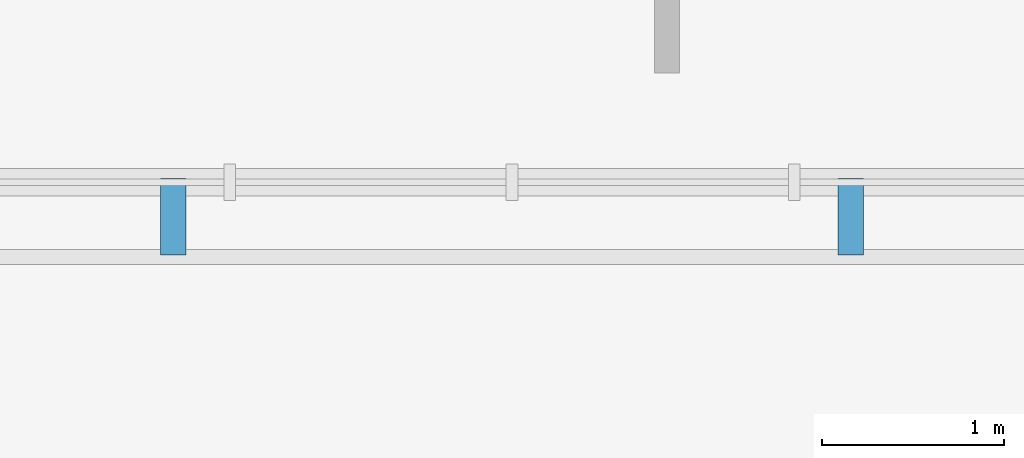
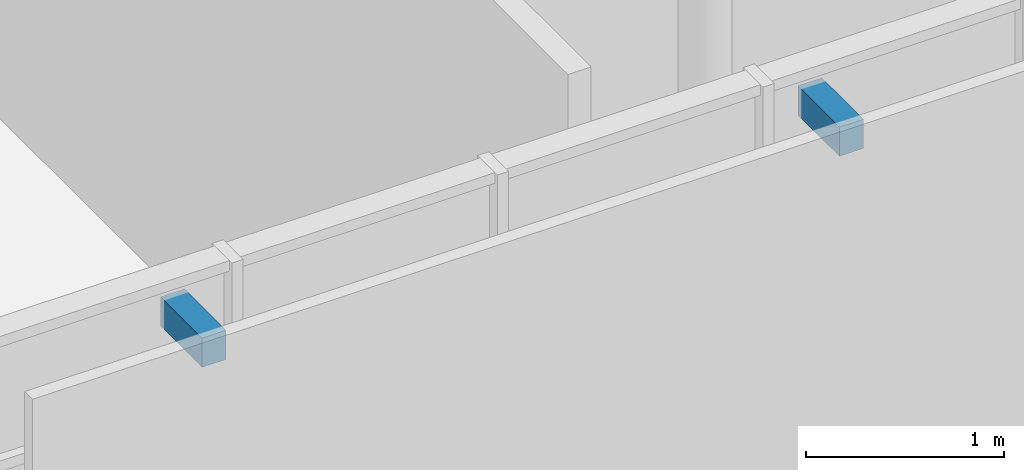
# One storey, part 51 of 66: 2 discrete accessories.
"""IFC4 building model written with IfcOpenShell, lengths in metres."""

from ifc_helpers import new_model, si_unit, direction, frame, origin, origin_2d, place, context, subcontext, project, spatial, rectangle, extrude, material, type_object, element, save


model = new_model("IFC4")

# Units and contexts
model_context = context("Model", 3, precision=1e-05, world=origin(), true_north=direction((0.0, 1.0)))
body_context = subcontext(model_context, "Body", "Model", "MODEL_VIEW")
ifc_project = project(units=[si_unit("LENGTHUNIT", "METRE"), si_unit("AREAUNIT", "SQUARE_METRE"), si_unit("VOLUMEUNIT", "CUBIC_METRE"), si_unit("PLANEANGLEUNIT", "RADIAN"), si_unit("MASSUNIT", "GRAM", prefix="KILO")], contexts=[model_context])

# Site, building, storey
site_placement = place(None, origin())
site = spatial("IfcSite", under=ifc_project, at=site_placement, CompositionType="ELEMENT")
building_placement = place(site_placement, origin())
building = spatial("IfcBuilding", under=site, at=building_placement, Name="Mirzam Square Science Centre", CompositionType="ELEMENT")
storey_placement = place(building_placement, frame((0.0, 0.0, 15.60009765625)))
storey = spatial("IfcBuildingStorey", under=building, at=storey_placement, Name="L03", CompositionType="ELEMENT", Elevation=15.60009765625)

# Discrete accessories
ifc_material = material(Name="Steel S355", Category="steel")
discrete_accessory_type = type_object("IfcDiscreteAccessoryType", Name="BRK-BRISE-STEEL", PredefinedType="BRACKET", material=ifc_material)
for number, where, z_axis, x_axis, name in (
    (1, (133.29296875, 46.610107421875, 3.5), (0.0, 0.0, 1.0), (1.0, 0.0, 0.0), "L03 brise-soleil support bracket 115"),
    (2, (137.007080078125, 46.610107421875, 3.5), (0.0, 0.0, 1.0), (1.0, 0.0, 0.0), "L03 brise-soleil support bracket 115"),
):
    element("IfcDiscreteAccessory", number, at=place(storey_placement, frame(where, z_axis=z_axis, x_axis=x_axis)), inside=storey, type_object=discrete_accessory_type, Name=name, PredefinedType="BRACKET", context=body_context, shape_type="SweptSolid", body=[
        extrude(rectangle(XDim=0.139892578125, YDim=0.419921875, at=origin_2d()), origin(), (0.0, 0.0, 1.0), 0.179931640625),
    ])

save(model, "model.ifc")
